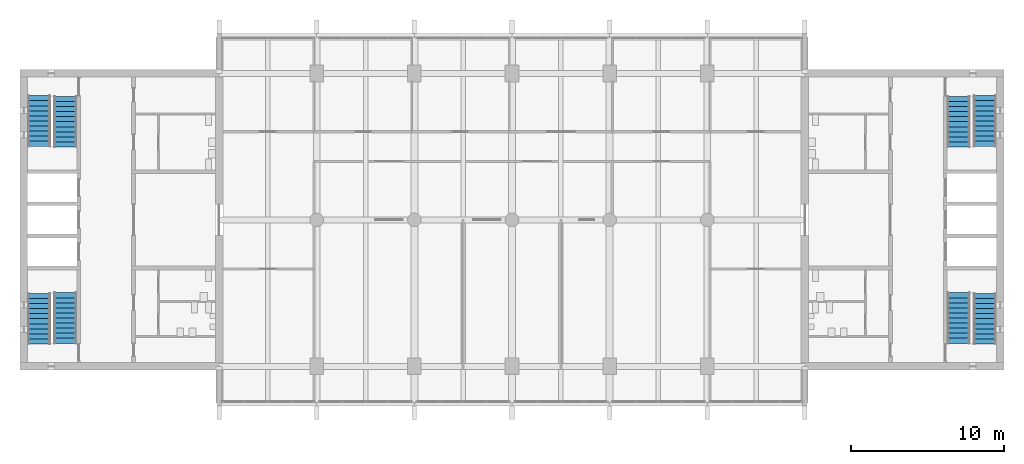
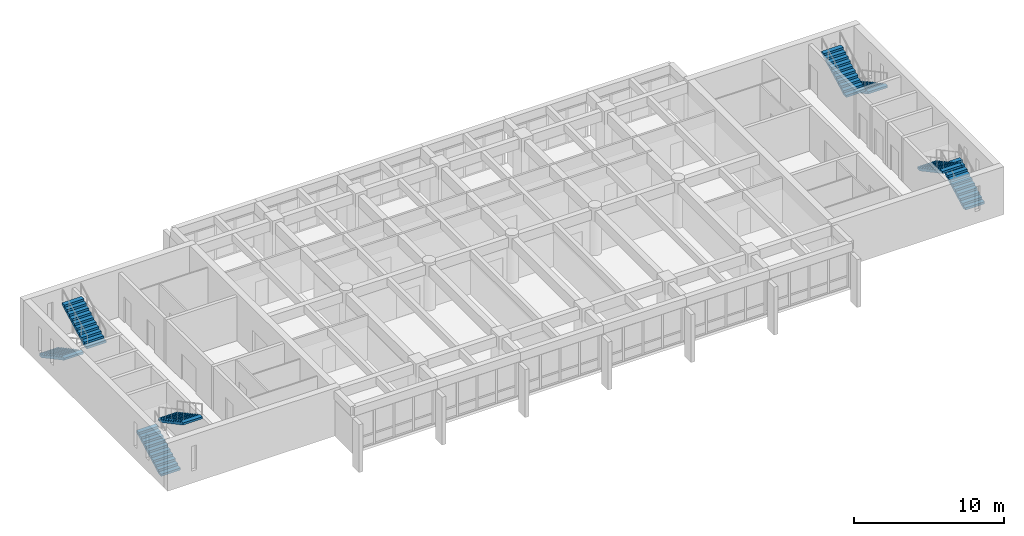
# One storey, part 13 of 15: 8 stair flights, 4 elements without a shape of their own.
"""IFC4 building model written with IfcOpenShell, lengths in metres."""

from ifc_helpers import new_model, si_unit, direction, frame, origin, place, context, subcontext, project, spatial, polyline, outline, extrude, material, type_object, element, aggregate, save


model = new_model("IFC4")

# Units and contexts
model_context = context("Model", 3, precision=1e-05, world=origin(), true_north=direction((0.0, 1.0)))
body_context = subcontext(model_context, "Body", "Model", "MODEL_VIEW")
ifc_project = project(units=[si_unit("LENGTHUNIT", "METRE"), si_unit("AREAUNIT", "SQUARE_METRE"), si_unit("VOLUMEUNIT", "CUBIC_METRE"), si_unit("PLANEANGLEUNIT", "RADIAN"), si_unit("MASSUNIT", "GRAM", prefix="KILO")], contexts=[model_context])

# Site, building, storey
site_placement = place(None, origin())
site = spatial("IfcSite", under=ifc_project, at=site_placement, CompositionType="ELEMENT")
building_placement = place(site_placement, origin())
building = spatial("IfcBuilding", under=site, at=building_placement, Name="Fogon Plaza Fire Station and Headquarters Tower", CompositionType="ELEMENT")
storey_placement = place(building_placement, frame((0.0, 0.0, 44.39990234375)))
storey = spatial("IfcBuildingStorey", under=building, at=storey_placement, Name="L11", CompositionType="ELEMENT", Elevation=44.39990234375)

# Stair, stair flights
ifc_material_1 = material(Name="Concrete C40", Category="concrete")
stair_type = type_object("IfcStairType", Name="Exit Stair Two Flights", PredefinedType="TWO_STRAIGHT_RUN_STAIR", material=ifc_material_1)
stair_1_placement = place(storey_placement, origin())
stair_1 = element("IfcStair", 1, at=stair_1_placement, inside=storey, type_object=stair_type, Name="Stair ST1", PredefinedType="TWO_STRAIGHT_RUN_STAIR")
ifc_material_2 = material(Name="Concrete C40", Category="concrete")
stair_flight_type = type_object("IfcStairFlightType", Name="Stair Flight 11 Risers", PredefinedType="STRAIGHT", material=ifc_material_2)
stair_flight_1_placement = place(storey_placement, frame((13.800048828125, 35.060791015625, 0.0), z_axis=(0.0, 0.0, 1.0), x_axis=(0.0, 1.0, 0.0)))
stair_flight_1 = element("IfcStairFlight", 2, at=stair_flight_1_placement, type_object=stair_flight_type, Name="ST1 flight F25", NumberOfRisers=11, NumberOfTreads=10, PredefinedType="STRAIGHT", RiserHeight=0.177272727, TreadLength=0.3315, context=body_context, shape_type="SweptSolid", body=[
    extrude(outline(polyline([(0.0, 0.0), (0.0, 0.17724609375), (0.33154296875, 0.17724609375), (0.33154296875, 0.3544921875), (0.6630859375, 0.3544921875), (0.6630859375, 0.53173828125), (0.994384765625, 0.53173828125), (0.994384765625, 0.708984375), (1.325927734375, 0.708984375), (1.325927734375, 0.886474609375), (1.657470703125, 0.886474609375), (1.657470703125, 1.063720703125), (1.989013671875, 1.063720703125), (1.989013671875, 1.240966796875), (2.320556640625, 1.240966796875), (2.320556640625, 1.418212890625), (2.652099609375, 1.418212890625), (2.652099609375, 1.595458984375), (2.9833984375, 1.595458984375), (2.9833984375, 1.772705078125), (3.31494140625, 1.772705078125), (3.31494140625, 1.949951171875), (3.31494140625, 1.602783203125), (0.31787109375, 0.0), (0.0, 0.0)])), frame((0.0, 0.75, 0.0), z_axis=(0.0, -1.0, 0.0), x_axis=(1.0, 0.0, 0.0)), (0.0, 0.0, 1.0), 1.5),
])
stair_flight_2_placement = place(storey_placement, frame((15.52490234375, 38.42431640625, 1.9501953125), z_axis=(0.0, 0.0, 1.0), x_axis=(0.0, -1.0, 0.0)))
stair_flight_2 = element("IfcStairFlight", 3, at=stair_flight_2_placement, type_object=stair_flight_type, Name="ST1 flight F26", NumberOfRisers=11, NumberOfTreads=10, PredefinedType="STRAIGHT", RiserHeight=0.177272727, TreadLength=0.3315, context=body_context, shape_type="SweptSolid", body=[
    extrude(outline(polyline([(0.0, 0.0), (0.0, 0.17724609375), (0.33154296875, 0.17724609375), (0.33154296875, 0.3544921875), (0.6630859375, 0.3544921875), (0.6630859375, 0.53173828125), (0.994384765625, 0.53173828125), (0.994384765625, 0.708984375), (1.325927734375, 0.708984375), (1.325927734375, 0.886474609375), (1.657470703125, 0.886474609375), (1.657470703125, 1.063720703125), (1.989013671875, 1.063720703125), (1.989013671875, 1.240966796875), (2.320556640625, 1.240966796875), (2.320556640625, 1.418212890625), (2.652099609375, 1.418212890625), (2.652099609375, 1.595458984375), (2.9833984375, 1.595458984375), (2.9833984375, 1.772705078125), (3.31494140625, 1.772705078125), (3.31494140625, 1.949951171875), (3.31494140625, 1.602783203125), (0.31787109375, 0.0), (0.0, 0.0)])), frame((0.0, 0.75, 0.0), z_axis=(0.0, -1.0, 0.0), x_axis=(1.0, 0.0, 0.0)), (0.0, 0.0, 1.0), 1.5),
])
aggregate(stair_1, [stair_flight_1, stair_flight_2])

stair_2_placement = place(storey_placement, origin())
stair_2 = element("IfcStair", 4, at=stair_2_placement, inside=storey, type_object=stair_type, Name="Stair ST2", PredefinedType="TWO_STRAIGHT_RUN_STAIR")
stair_flight_3_placement = place(storey_placement, frame((13.800048828125, 51.33935546875, 0.0), z_axis=(0.0, 0.0, 1.0), x_axis=(0.0, -1.0, 0.0)))
stair_flight_3 = element("IfcStairFlight", 5, at=stair_flight_3_placement, type_object=stair_flight_type, Name="ST2 flight F25", NumberOfRisers=11, NumberOfTreads=10, PredefinedType="STRAIGHT", RiserHeight=0.177272727, TreadLength=0.3315, context=body_context, shape_type="SweptSolid", body=[
    extrude(outline(polyline([(0.0, 0.0), (0.0, 0.17724609375), (0.33154296875, 0.17724609375), (0.33154296875, 0.3544921875), (0.6630859375, 0.3544921875), (0.6630859375, 0.53173828125), (0.994384765625, 0.53173828125), (0.994384765625, 0.708984375), (1.325927734375, 0.708984375), (1.325927734375, 0.886474609375), (1.657470703125, 0.886474609375), (1.657470703125, 1.063720703125), (1.989013671875, 1.063720703125), (1.989013671875, 1.240966796875), (2.320556640625, 1.240966796875), (2.320556640625, 1.418212890625), (2.652099609375, 1.418212890625), (2.652099609375, 1.595458984375), (2.9833984375, 1.595458984375), (2.9833984375, 1.772705078125), (3.31494140625, 1.772705078125), (3.31494140625, 1.949951171875), (3.31494140625, 1.602783203125), (0.31787109375, 0.0), (0.0, 0.0)])), frame((0.0, 0.75, 0.0), z_axis=(0.0, -1.0, 0.0), x_axis=(1.0, 0.0, 0.0)), (0.0, 0.0, 1.0), 1.5),
])
stair_flight_4_placement = place(storey_placement, frame((15.52490234375, 47.975830078125, 1.9501953125), z_axis=(0.0, 0.0, 1.0), x_axis=(0.0, 1.0, 0.0)))
stair_flight_4 = element("IfcStairFlight", 6, at=stair_flight_4_placement, type_object=stair_flight_type, Name="ST2 flight F26", NumberOfRisers=11, NumberOfTreads=10, PredefinedType="STRAIGHT", RiserHeight=0.177272727, TreadLength=0.3315, context=body_context, shape_type="SweptSolid", body=[
    extrude(outline(polyline([(0.0, 0.0), (0.0, 0.17724609375), (0.33154296875, 0.17724609375), (0.33154296875, 0.3544921875), (0.6630859375, 0.3544921875), (0.6630859375, 0.53173828125), (0.994384765625, 0.53173828125), (0.994384765625, 0.708984375), (1.325927734375, 0.708984375), (1.325927734375, 0.886474609375), (1.657470703125, 0.886474609375), (1.657470703125, 1.063720703125), (1.989013671875, 1.063720703125), (1.989013671875, 1.240966796875), (2.320556640625, 1.240966796875), (2.320556640625, 1.418212890625), (2.652099609375, 1.418212890625), (2.652099609375, 1.595458984375), (2.9833984375, 1.595458984375), (2.9833984375, 1.772705078125), (3.31494140625, 1.772705078125), (3.31494140625, 1.949951171875), (3.31494140625, 1.602783203125), (0.31787109375, 0.0), (0.0, 0.0)])), frame((0.0, 0.75, 0.0), z_axis=(0.0, -1.0, 0.0), x_axis=(1.0, 0.0, 0.0)), (0.0, 0.0, 1.0), 1.5),
])
aggregate(stair_2, [stair_flight_3, stair_flight_4])

stair_3_placement = place(storey_placement, origin())
stair_3 = element("IfcStair", 7, at=stair_3_placement, inside=storey, type_object=stair_type, Name="Stair ST3", PredefinedType="TWO_STRAIGHT_RUN_STAIR")
stair_flight_5_placement = place(storey_placement, frame((75.800048828125, 35.060791015625, 0.0), z_axis=(0.0, 0.0, 1.0), x_axis=(0.0, 1.0, 0.0)))
stair_flight_5 = element("IfcStairFlight", 8, at=stair_flight_5_placement, type_object=stair_flight_type, Name="ST3 flight F25", NumberOfRisers=11, NumberOfTreads=10, PredefinedType="STRAIGHT", RiserHeight=0.177272727, TreadLength=0.3315, context=body_context, shape_type="SweptSolid", body=[
    extrude(outline(polyline([(0.0, 0.0), (0.0, 0.17724609375), (0.33154296875, 0.17724609375), (0.33154296875, 0.3544921875), (0.6630859375, 0.3544921875), (0.6630859375, 0.53173828125), (0.994384765625, 0.53173828125), (0.994384765625, 0.708984375), (1.325927734375, 0.708984375), (1.325927734375, 0.886474609375), (1.657470703125, 0.886474609375), (1.657470703125, 1.063720703125), (1.989013671875, 1.063720703125), (1.989013671875, 1.240966796875), (2.320556640625, 1.240966796875), (2.320556640625, 1.418212890625), (2.652099609375, 1.418212890625), (2.652099609375, 1.595458984375), (2.9833984375, 1.595458984375), (2.9833984375, 1.772705078125), (3.31494140625, 1.772705078125), (3.31494140625, 1.949951171875), (3.31494140625, 1.602783203125), (0.31787109375, 0.0), (0.0, 0.0)])), frame((0.0, 0.75, 0.0), z_axis=(0.0, -1.0, 0.0), x_axis=(1.0, 0.0, 0.0)), (0.0, 0.0, 1.0), 1.5),
])
stair_flight_6_placement = place(storey_placement, frame((74.074951171875, 38.42431640625, 1.9501953125), z_axis=(0.0, 0.0, 1.0), x_axis=(0.0, -1.0, 0.0)))
stair_flight_6 = element("IfcStairFlight", 9, at=stair_flight_6_placement, type_object=stair_flight_type, Name="ST3 flight F26", NumberOfRisers=11, NumberOfTreads=10, PredefinedType="STRAIGHT", RiserHeight=0.177272727, TreadLength=0.3315, context=body_context, shape_type="SweptSolid", body=[
    extrude(outline(polyline([(0.0, 0.0), (0.0, 0.17724609375), (0.33154296875, 0.17724609375), (0.33154296875, 0.3544921875), (0.6630859375, 0.3544921875), (0.6630859375, 0.53173828125), (0.994384765625, 0.53173828125), (0.994384765625, 0.708984375), (1.325927734375, 0.708984375), (1.325927734375, 0.886474609375), (1.657470703125, 0.886474609375), (1.657470703125, 1.063720703125), (1.989013671875, 1.063720703125), (1.989013671875, 1.240966796875), (2.320556640625, 1.240966796875), (2.320556640625, 1.418212890625), (2.652099609375, 1.418212890625), (2.652099609375, 1.595458984375), (2.9833984375, 1.595458984375), (2.9833984375, 1.772705078125), (3.31494140625, 1.772705078125), (3.31494140625, 1.949951171875), (3.31494140625, 1.602783203125), (0.31787109375, 0.0), (0.0, 0.0)])), frame((0.0, 0.75, 0.0), z_axis=(0.0, -1.0, 0.0), x_axis=(1.0, 0.0, 0.0)), (0.0, 0.0, 1.0), 1.5),
])
aggregate(stair_3, [stair_flight_5, stair_flight_6])

stair_4_placement = place(storey_placement, origin())
stair_4 = element("IfcStair", 10, at=stair_4_placement, inside=storey, type_object=stair_type, Name="Stair ST4", PredefinedType="TWO_STRAIGHT_RUN_STAIR")
stair_flight_7_placement = place(storey_placement, frame((75.800048828125, 51.33935546875, 0.0), z_axis=(0.0, 0.0, 1.0), x_axis=(0.0, -1.0, 0.0)))
stair_flight_7 = element("IfcStairFlight", 11, at=stair_flight_7_placement, type_object=stair_flight_type, Name="ST4 flight F25", NumberOfRisers=11, NumberOfTreads=10, PredefinedType="STRAIGHT", RiserHeight=0.177272727, TreadLength=0.3315, context=body_context, shape_type="SweptSolid", body=[
    extrude(outline(polyline([(0.0, 0.0), (0.0, 0.17724609375), (0.33154296875, 0.17724609375), (0.33154296875, 0.3544921875), (0.6630859375, 0.3544921875), (0.6630859375, 0.53173828125), (0.994384765625, 0.53173828125), (0.994384765625, 0.708984375), (1.325927734375, 0.708984375), (1.325927734375, 0.886474609375), (1.657470703125, 0.886474609375), (1.657470703125, 1.063720703125), (1.989013671875, 1.063720703125), (1.989013671875, 1.240966796875), (2.320556640625, 1.240966796875), (2.320556640625, 1.418212890625), (2.652099609375, 1.418212890625), (2.652099609375, 1.595458984375), (2.9833984375, 1.595458984375), (2.9833984375, 1.772705078125), (3.31494140625, 1.772705078125), (3.31494140625, 1.949951171875), (3.31494140625, 1.602783203125), (0.31787109375, 0.0), (0.0, 0.0)])), frame((0.0, 0.75, 0.0), z_axis=(0.0, -1.0, 0.0), x_axis=(1.0, 0.0, 0.0)), (0.0, 0.0, 1.0), 1.5),
])
stair_flight_8_placement = place(storey_placement, frame((74.074951171875, 47.975830078125, 1.9501953125), z_axis=(0.0, 0.0, 1.0), x_axis=(0.0, 1.0, 0.0)))
stair_flight_8 = element("IfcStairFlight", 12, at=stair_flight_8_placement, type_object=stair_flight_type, Name="ST4 flight F26", NumberOfRisers=11, NumberOfTreads=10, PredefinedType="STRAIGHT", RiserHeight=0.177272727, TreadLength=0.3315, context=body_context, shape_type="SweptSolid", body=[
    extrude(outline(polyline([(0.0, 0.0), (0.0, 0.17724609375), (0.33154296875, 0.17724609375), (0.33154296875, 0.3544921875), (0.6630859375, 0.3544921875), (0.6630859375, 0.53173828125), (0.994384765625, 0.53173828125), (0.994384765625, 0.708984375), (1.325927734375, 0.708984375), (1.325927734375, 0.886474609375), (1.657470703125, 0.886474609375), (1.657470703125, 1.063720703125), (1.989013671875, 1.063720703125), (1.989013671875, 1.240966796875), (2.320556640625, 1.240966796875), (2.320556640625, 1.418212890625), (2.652099609375, 1.418212890625), (2.652099609375, 1.595458984375), (2.9833984375, 1.595458984375), (2.9833984375, 1.772705078125), (3.31494140625, 1.772705078125), (3.31494140625, 1.949951171875), (3.31494140625, 1.602783203125), (0.31787109375, 0.0), (0.0, 0.0)])), frame((0.0, 0.75, 0.0), z_axis=(0.0, -1.0, 0.0), x_axis=(1.0, 0.0, 0.0)), (0.0, 0.0, 1.0), 1.5),
])
aggregate(stair_4, [stair_flight_7, stair_flight_8])

save(model, "model.ifc")
